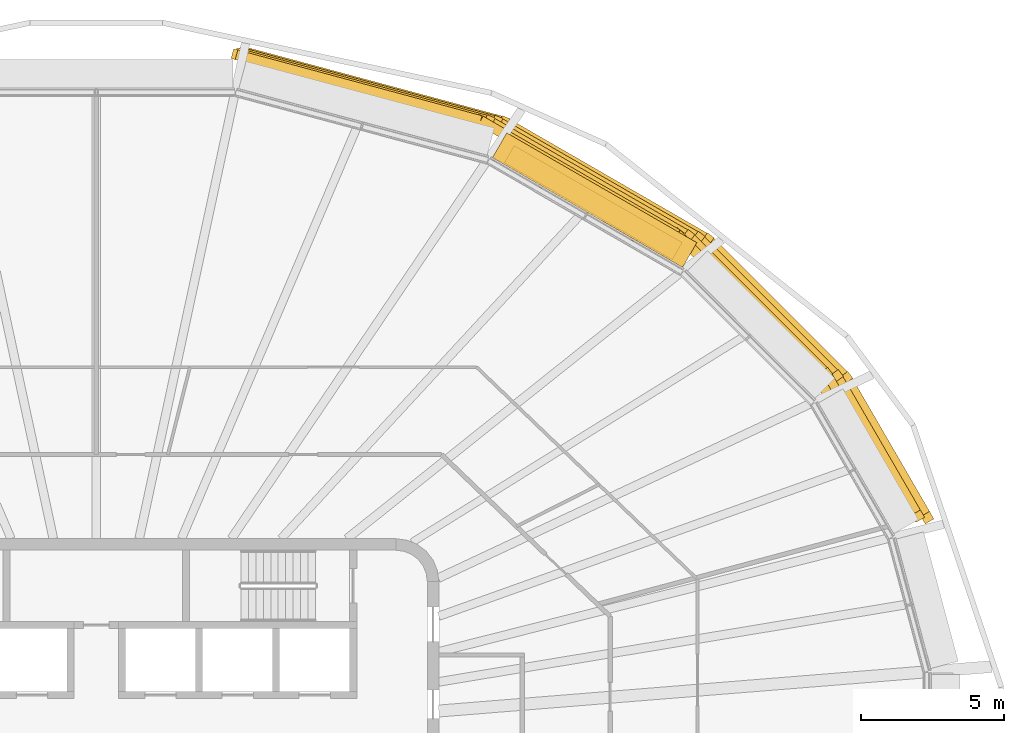
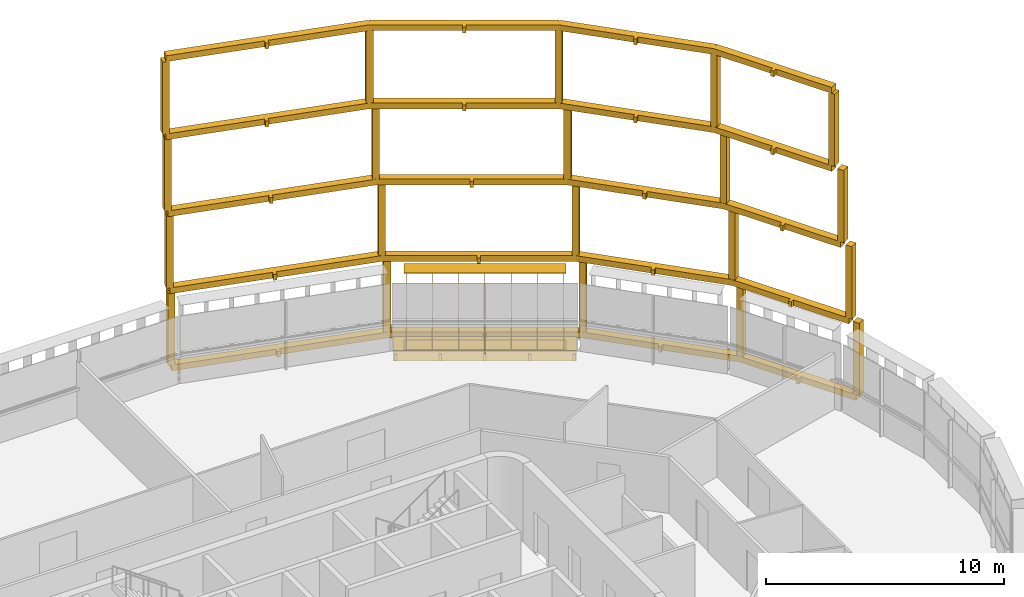
# One storey, part 19 of 19: 3 shading devices.
"""IFC4 building model written with IfcOpenShell, lengths in metres."""

from ifc_helpers import new_model, si_unit, direction, frame, origin, origin_2d, place, context, subcontext, project, spatial, polyline, rectangle, outline, extrude, material, type_object, element, save


model = new_model("IFC4")

# Units and contexts
model_context = context("Model", 3, precision=1e-05, world=origin(), true_north=direction((0.0, 1.0)))
body_context = subcontext(model_context, "Body", "Model", "MODEL_VIEW")
ifc_project = project(units=[si_unit("LENGTHUNIT", "METRE"), si_unit("AREAUNIT", "SQUARE_METRE"), si_unit("VOLUMEUNIT", "CUBIC_METRE"), si_unit("PLANEANGLEUNIT", "RADIAN"), si_unit("MASSUNIT", "GRAM", prefix="KILO")], contexts=[model_context])

# Site, building, storey
site_placement = place(None, origin())
site = spatial("IfcSite", under=ifc_project, at=site_placement, CompositionType="ELEMENT")
building_placement = place(site_placement, origin())
building = spatial("IfcBuilding", under=site, at=building_placement, Name="Sahrelin Media Tower", CompositionType="ELEMENT")
storey_placement = place(building_placement, frame((0.0, 0.0, 279.0)))
storey = spatial("IfcBuildingStorey", under=building, at=storey_placement, Name="L61", CompositionType="ELEMENT", Elevation=279.0)

# Shading devices
ifc_material_1 = material(Name="Dark bronze anodised aluminium 6063-T6", Category="aluminium")
shading_device_type_1 = type_object("IfcShadingDeviceType", Name="Deep frame", PredefinedType="USERDEFINED", material=ifc_material_1)
shading_device_1_placement = place(storey_placement, frame((27.968017578125, 7.075439453125, 0.0), z_axis=(0.0, 0.0, 1.0), x_axis=(0.500011000363, -0.866019052629, 0.0)))
element("IfcShadingDevice", 1, at=shading_device_1_placement, inside=storey, type_object=shading_device_type_1, Name="L61:FRAME:F5-2", ObjectType="FRAME", PredefinedType="USERDEFINED", context=body_context, shape_type="SweptSolid", body=[
    extrude(rectangle(XDim=0.300048828125, YDim=0.35009765625, at=origin_2d()), frame((0.0, 1.324951171875, 0.14990234375), z_axis=(0.0, 0.0, 1.0), x_axis=(-1.0, 0.0, 0.0)), (0.0, 0.0, 1.0), 3.7001953125),
    extrude(rectangle(XDim=0.300048828125, YDim=0.35009765625, at=origin_2d()), frame((-5.662353515625, 1.313720703125, 0.14990234375), z_axis=(0.0, 0.0, 1.0), x_axis=(-0.991434606813, -0.130604059715, 0.0)), (0.0, 0.0, 1.0), 3.7001953125),
    extrude(rectangle(XDim=0.300048828125, YDim=0.35009765625, at=origin_2d()), frame((-12.29150390625, -0.462646484375, 0.14990234375), z_axis=(0.0, 0.0, 1.0), x_axis=(-0.923876860854, -0.382689882252, 0.0)), (0.0, 0.0, 1.0), 3.7001953125),
    extrude(rectangle(XDim=0.300048828125, YDim=0.35009765625, at=origin_2d()), frame((-19.42333984375, -4.580322265625, 0.14990234375), z_axis=(0.0, 0.0, 1.0), x_axis=(-0.793362902596, -0.608748966968, 0.0)), (0.0, 0.0, 1.0), 3.7001953125),
    extrude(rectangle(XDim=0.300048828125, YDim=0.35009765625, at=origin_2d()), frame((-26.064453125, -11.205322265625, 0.14990234375), z_axis=(0.0, 0.0, 1.0), x_axis=(-0.707106781187, -0.707106781187, 0.0)), (0.0, 0.0, 1.0), 3.7001953125),
    extrude(outline(polyline([(-2.819580078125, 0.969970703125), (-2.669677734375, 0.969970703125), (-2.669677734375, 1.144775390625), (0.00048828125, 1.14990234375), (-0.00048828125, 1.5), (-5.66259765625, 1.48876953125), (-5.662353515625, 1.313720703125), (-5.707763671875, 1.482666015625), (-12.3369140625, -0.293701171875), (-12.29150390625, -0.462646484375), (-12.37890625, -0.31103515625), (-19.510986328125, -4.4287109375), (-19.42333984375, -4.580322265625), (-19.547119140625, -4.456298828125), (-26.18798828125, -11.08154296875), (-25.94091796875, -11.3291015625), (-22.734619140625, -8.130615234375), (-22.611083984375, -8.25390625), (-22.5048828125, -8.14794921875), (-22.62841796875, -8.024658203125), (-19.31591796875, -4.72021484375), (-15.8349609375, -2.71044921875), (-15.75048828125, -2.856689453125), (-15.62060546875, -2.781494140625), (-15.705078125, -2.635498046875), (-12.22412109375, -0.625732421875), (-9.004150390625, 0.237060546875), (-8.96044921875, 0.07421875), (-8.815673828125, 0.113037109375), (-8.859130859375, 0.27587890625), (-5.63916015625, 1.138671875), (-2.819580078125, 1.144287109375), (-2.819580078125, 0.969970703125)])), frame((0.0, 0.0, -0.14990234375)), (0.0, 0.0, 1.0), 0.2998046875),
    extrude(rectangle(XDim=0.300048828125, YDim=0.35009765625, at=origin_2d()), frame((-0.20751953125, 1.0703125, 4.14990234375), z_axis=(0.0, 0.0, 1.0), x_axis=(-1.0, 0.0, 0.0)), (0.0, 0.0, 1.0), 3.7001953125),
    extrude(rectangle(XDim=0.300048828125, YDim=0.35009765625, at=origin_2d()), frame((-5.887451171875, 1.058837890625, 4.14990234375), z_axis=(0.0, 0.0, 1.0), x_axis=(-0.991447594891, -0.130505427419, 0.0)), (0.0, 0.0, 1.0), 3.7001953125),
    extrude(rectangle(XDim=0.300048828125, YDim=0.35009765625, at=origin_2d()), frame((-12.498046875, -0.71240234375, 4.14990234375), z_axis=(0.0, 0.0, 1.0), x_axis=(-0.923876860854, -0.382689882252, 0.0)), (0.0, 0.0, 1.0), 3.7001953125),
    extrude(rectangle(XDim=0.300048828125, YDim=0.35009765625, at=origin_2d()), frame((-19.55859375, -4.788818359375, 4.14990234375), z_axis=(0.0, 0.0, 1.0), x_axis=(-0.793315089117, -0.608811275668, 0.0)), (0.0, 0.0, 1.0), 3.7001953125),
    extrude(rectangle(XDim=0.300048828125, YDim=0.35009765625, at=origin_2d()), frame((-26.088623046875, -11.302978515625, 4.14990234375), z_axis=(0.0, 0.0, 1.0), x_axis=(-0.707106781187, -0.707106781187, 0.0)), (0.0, 0.0, 1.0), 3.7001953125),
    extrude(outline(polyline([(-3.035888671875, 0.71533203125), (-2.885986328125, 0.71533203125), (-2.885986328125, 0.889892578125), (-0.20703125, 0.895263671875), (-0.207763671875, 1.245361328125), (-5.8876953125, 1.23388671875), (-5.887451171875, 1.058837890625), (-5.9326171875, 1.22802734375), (-12.54345703125, -0.54345703125), (-12.498046875, -0.71240234375), (-12.585693359375, -0.560791015625), (-19.646240234375, -4.63720703125), (-19.55859375, -4.788818359375), (-19.682373046875, -4.664794921875), (-26.212158203125, -11.178955078125), (-25.965087890625, -11.4267578125), (-22.814208984375, -8.28369140625), (-22.69091796875, -8.406982421875), (-22.584716796875, -8.301025390625), (-22.7080078125, -8.177734375), (-19.451416015625, -4.928955078125), (-16.005859375, -2.939697265625), (-15.92138671875, -3.085693359375), (-15.79150390625, -3.0107421875), (-15.8759765625, -2.86474609375), (-12.4306640625, -0.87548828125), (-9.219970703125, -0.01513671875), (-9.17626953125, -0.177978515625), (-9.031494140625, -0.139404296875), (-9.074951171875, 0.023681640625), (-5.8642578125, 0.884033203125), (-3.035888671875, 0.8896484375), (-3.035888671875, 0.71533203125)])), frame((0.0, 0.0, 3.85009765625)), (0.0, 0.0, 1.0), 0.2998046875),
    extrude(rectangle(XDim=0.300048828125, YDim=0.35009765625, at=origin_2d()), frame((-0.439697265625, 0.787109375, 8.14990234375), z_axis=(0.0, 0.0, 1.0), x_axis=(-1.0, 0.0, 0.0)), (0.0, 0.0, 1.0), 3.7001953125),
    extrude(rectangle(XDim=0.300048828125, YDim=0.35009765625, at=origin_2d()), frame((-6.13916015625, 0.775634765625, 8.14990234375), z_axis=(0.0, 0.0, 1.0), x_axis=(-0.991447594891, -0.130505427419, 0.0)), (0.0, 0.0, 1.0), 3.7001953125),
    extrude(rectangle(XDim=0.300048828125, YDim=0.35009765625, at=origin_2d()), frame((-12.728271484375, -0.989990234375, 8.14990234375), z_axis=(0.0, 0.0, 1.0), x_axis=(-0.923876860854, -0.382689882252, 0.0)), (0.0, 0.0, 1.0), 3.7001953125),
    extrude(rectangle(XDim=0.300048828125, YDim=0.35009765625, at=origin_2d()), frame((-19.70849609375, -5.02001953125, 8.14990234375), z_axis=(0.0, 0.0, 1.0), x_axis=(-0.793352277801, -0.608762813671, 0.0)), (0.0, 0.0, 1.0), 3.7001953125),
    extrude(rectangle(XDim=0.300048828125, YDim=0.35009765625, at=origin_2d()), frame((-26.115234375, -11.410888671875, 8.14990234375), z_axis=(0.0, 0.0, 1.0), x_axis=(-0.707106781187, -0.707106781187, 0.0)), (0.0, 0.0, 1.0), 3.7001953125),
    extrude(outline(polyline([(-3.27783203125, 0.431884765625), (-3.1279296875, 0.431884765625), (-3.1279296875, 0.606689453125), (-0.439208984375, 0.612060546875), (-0.43994140625, 0.9619140625), (-6.139404296875, 0.95068359375), (-6.13916015625, 0.775634765625), (-6.184326171875, 0.944580078125), (-12.773681640625, -0.82080078125), (-12.728271484375, -0.989990234375), (-12.81591796875, -0.83837890625), (-19.7958984375, -4.868408203125), (-19.70849609375, -5.02001953125), (-19.83203125, -4.89599609375), (-26.23876953125, -11.286865234375), (-25.99169921875, -11.53466796875), (-22.902587890625, -8.453125), (-22.779052734375, -8.57666015625), (-22.673095703125, -8.470458984375), (-22.79638671875, -8.34716796875), (-19.601318359375, -5.16015625), (-16.19580078125, -3.194091796875), (-16.111572265625, -3.340087890625), (-15.981689453125, -3.26513671875), (-16.06591796875, -3.118896484375), (-12.66064453125, -1.153076171875), (-9.460693359375, -0.295654296875), (-9.417236328125, -0.45849609375), (-9.272216796875, -0.419677734375), (-9.31591796875, -0.2568359375), (-6.115966796875, 0.6005859375), (-3.27783203125, 0.606201171875), (-3.27783203125, 0.431884765625)])), frame((0.0, 0.0, 7.85009765625)), (0.0, 0.0, 1.0), 0.2998046875),
    extrude(rectangle(XDim=0.300048828125, YDim=0.35009765625, at=origin_2d()), frame((-0.697021484375, 0.475341796875, 12.14990234375), z_axis=(0.0, 0.0, 1.0), x_axis=(-1.0, 0.0, 0.0)), (0.0, 0.0, 1.0), 3.7001953125),
    extrude(rectangle(XDim=0.300048828125, YDim=0.35009765625, at=origin_2d()), frame((-6.417724609375, 0.4638671875, 12.14990234375), z_axis=(0.0, 0.0, 1.0), x_axis=(-0.991447594891, -0.130505427419, 0.0)), (0.0, 0.0, 1.0), 3.7001953125),
    extrude(rectangle(XDim=0.300048828125, YDim=0.35009765625, at=origin_2d()), frame((-12.98193359375, -1.294921875, 12.14990234375), z_axis=(0.0, 0.0, 1.0), x_axis=(-0.923876860854, -0.382689882252, 0.0)), (0.0, 0.0, 1.0), 3.7001953125),
    extrude(rectangle(XDim=0.300048828125, YDim=0.35009765625, at=origin_2d()), frame((-19.87255859375, -5.273193359375, 12.14990234375), z_axis=(0.0, 0.0, 1.0), x_axis=(-0.793315089117, -0.608811275668, 0.0)), (0.0, 0.0, 1.0), 3.7001953125),
    extrude(rectangle(XDim=0.300048828125, YDim=0.35009765625, at=origin_2d()), frame((-26.143798828125, -11.52880859375, 12.14990234375), z_axis=(0.0, 0.0, 1.0), x_axis=(-0.707106781187, -0.707106781187, 0.0)), (0.0, 0.0, 1.0), 3.7001953125),
    extrude(outline(polyline([(-3.5458984375, 0.120361328125), (-3.39599609375, 0.120361328125), (-3.39599609375, 0.294921875), (-0.69677734375, 0.30029296875), (-0.697509765625, 0.650390625), (-6.418212890625, 0.638916015625), (-6.417724609375, 0.4638671875), (-6.463134765625, 0.6328125), (-13.02734375, -1.1259765625), (-12.98193359375, -1.294921875), (-13.069580078125, -1.1435546875), (-19.960205078125, -5.121826171875), (-19.87255859375, -5.273193359375), (-19.99609375, -5.1494140625), (-26.267578125, -11.40478515625), (-26.0205078125, -11.652587890625), (-22.998779296875, -8.638916015625), (-22.87548828125, -8.76220703125), (-22.769287109375, -8.656005859375), (-22.892578125, -8.532958984375), (-19.76513671875, -5.413330078125), (-16.40478515625, -3.47314453125), (-16.3203125, -3.619384765625), (-16.1904296875, -3.544189453125), (-16.27490234375, -3.398193359375), (-12.91455078125, -1.4580078125), (-9.72705078125, -0.60400390625), (-9.683349609375, -0.766845703125), (-9.53857421875, -0.72802734375), (-9.582275390625, -0.565185546875), (-6.39453125, 0.2890625), (-3.5458984375, 0.294677734375), (-3.5458984375, 0.120361328125)])), frame((0.0, 0.0, 11.85009765625)), (0.0, 0.0, 1.0), 0.2998046875),
    extrude(outline(polyline([(-3.5458984375, 0.120361328125), (-3.39599609375, 0.120361328125), (-3.39599609375, 0.294921875), (-0.69677734375, 0.30029296875), (-0.697509765625, 0.650390625), (-6.418212890625, 0.638916015625), (-6.417724609375, 0.4638671875), (-6.463134765625, 0.6328125), (-13.02734375, -1.1259765625), (-12.98193359375, -1.294921875), (-13.069580078125, -1.1435546875), (-19.960205078125, -5.121826171875), (-19.87255859375, -5.273193359375), (-19.99609375, -5.1494140625), (-26.267578125, -11.40478515625), (-26.0205078125, -11.652587890625), (-22.998779296875, -8.638916015625), (-22.87548828125, -8.76220703125), (-22.769287109375, -8.656005859375), (-22.892578125, -8.532958984375), (-19.76513671875, -5.413330078125), (-16.40478515625, -3.47314453125), (-16.3203125, -3.619384765625), (-16.1904296875, -3.544189453125), (-16.27490234375, -3.398193359375), (-12.91455078125, -1.4580078125), (-9.72705078125, -0.60400390625), (-9.683349609375, -0.766845703125), (-9.53857421875, -0.72802734375), (-9.582275390625, -0.565185546875), (-6.39453125, 0.2890625), (-3.5458984375, 0.294677734375), (-3.5458984375, 0.120361328125)])), frame((0.0, 0.0, 15.85009765625)), (0.0, 0.0, 1.0), 0.2998046875),
])
ifc_material_2 = material(Name="Champagne anodised aluminium 6063-T6", Category="aluminium")
shading_device_type_2 = type_object("IfcShadingDeviceType", Name="Fin cassette", PredefinedType="USERDEFINED", material=ifc_material_2)
placement = place(storey_placement, frame((17.198974609375, 18.41015625, 0.0), z_axis=(0.0, 0.0, 1.0), x_axis=(0.866019052629, -0.500011000363, 0.0)))
element("IfcShadingDevice", 2, at=placement, inside=storey, type_object=shading_device_type_2, Name="L61:FIN:L61-04", ObjectType="FIN", PredefinedType="USERDEFINED", context=body_context, shape_type="SweptSolid", body=[
    extrude(rectangle(XDim=6.800048828125, YDim=0.699951171875, at=origin_2d()), frame((0.0, 0.419921875, 0.0)), (0.0, 0.0, 1.0), 0.02001953125),
    extrude(rectangle(XDim=6.800048828125, YDim=0.699951171875, at=origin_2d()), frame((0.0, 0.419921875, 3.89990234375)), (0.0, 0.0, 1.0), 0.02001953125),
    extrude(rectangle(XDim=0.02001953125, YDim=0.699951171875, at=origin_2d()), frame((-3.300048828125, 0.419921875, 0.010009765625), z_axis=(0.0, 0.0, 1.0), x_axis=(1.0, 0.0, 0.0)), (0.0, 0.0, 1.0), 3.89990234375),
    extrude(rectangle(XDim=0.02001953125, YDim=0.699951171875, at=origin_2d()), frame((-2.199951171875, 0.419921875, 0.010009765625), z_axis=(0.0, 0.0, 1.0), x_axis=(1.0, 0.0, 0.0)), (0.0, 0.0, 1.0), 3.89990234375),
    extrude(rectangle(XDim=0.02001953125, YDim=0.699951171875, at=origin_2d()), frame((-1.10009765625, 0.419921875, 0.010009765625), z_axis=(0.0, 0.0, 1.0), x_axis=(1.0, 0.0, 0.0)), (0.0, 0.0, 1.0), 3.89990234375),
    extrude(rectangle(XDim=0.02001953125, YDim=0.699951171875, at=origin_2d()), frame((0.0, 0.419921875, 0.010009765625), z_axis=(0.0, 0.0, 1.0), x_axis=(1.0, 0.0, 0.0)), (0.0, 0.0, 1.0), 3.89990234375),
    extrude(rectangle(XDim=0.02001953125, YDim=0.699951171875, at=origin_2d()), frame((1.10009765625, 0.419921875, 0.010009765625), z_axis=(0.0, 0.0, 1.0), x_axis=(1.0, 0.0, 0.0)), (0.0, 0.0, 1.0), 3.89990234375),
    extrude(rectangle(XDim=0.02001953125, YDim=0.699951171875, at=origin_2d()), frame((2.199951171875, 0.419921875, 0.010009765625), z_axis=(0.0, 0.0, 1.0), x_axis=(1.0, 0.0, 0.0)), (0.0, 0.0, 1.0), 3.89990234375),
    extrude(rectangle(XDim=0.02001953125, YDim=0.699951171875, at=origin_2d()), frame((3.300048828125, 0.419921875, 0.010009765625), z_axis=(0.0, 0.0, 1.0), x_axis=(1.0, 0.0, 0.0)), (0.0, 0.0, 1.0), 3.89990234375),
])
shading_device_type_3 = type_object("IfcShadingDeviceType", Name="Sunshade band", PredefinedType="USERDEFINED", material=ifc_material_2)
element("IfcShadingDevice", 3, at=placement, inside=storey, type_object=shading_device_type_3, Name="L61:SUN:L61-04", ObjectType="SUNSHADE", PredefinedType="USERDEFINED", context=body_context, shape_type="SweptSolid", body=[
    extrude(rectangle(XDim=7.689208984375, YDim=0.050048828125, at=origin_2d()), frame((0.0, 0.044921875, -0.55126953125)), (0.0, 0.0, 1.0), 0.471435546875),
    extrude(rectangle(XDim=7.689208984375, YDim=1.0, at=origin_2d()), frame((0.0, 0.52001953125, -0.080078125)), (0.0, 0.0, 1.0), 0.080078125),
    extrude(rectangle(XDim=0.10009765625, YDim=0.074951171875, at=origin_2d()), frame((-3.74462890625, -0.017578125, -0.47021484375)), (0.0, 0.0, 1.0), 0.300048828125),
    extrude(rectangle(XDim=0.10009765625, YDim=0.074951171875, at=origin_2d()), frame((-1.872314453125, -0.017578125, -0.47021484375)), (0.0, 0.0, 1.0), 0.300048828125),
    extrude(rectangle(XDim=0.10009765625, YDim=0.074951171875, at=origin_2d()), frame((0.0, -0.017578125, -0.47021484375)), (0.0, 0.0, 1.0), 0.300048828125),
    extrude(rectangle(XDim=0.10009765625, YDim=0.074951171875, at=origin_2d()), frame((1.872314453125, -0.017578125, -0.47021484375)), (0.0, 0.0, 1.0), 0.300048828125),
    extrude(rectangle(XDim=0.10009765625, YDim=0.074951171875, at=origin_2d()), frame((3.74462890625, -0.017578125, -0.47021484375)), (0.0, 0.0, 1.0), 0.300048828125),
])

save(model, "model.ifc")
